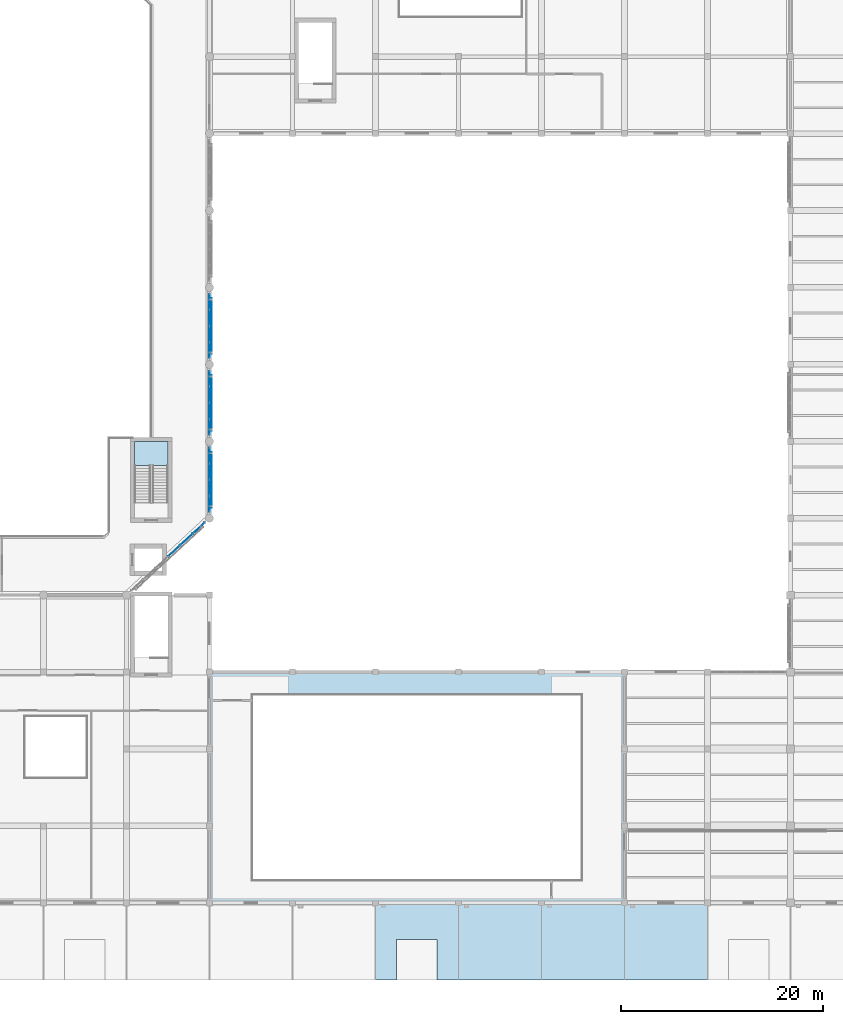
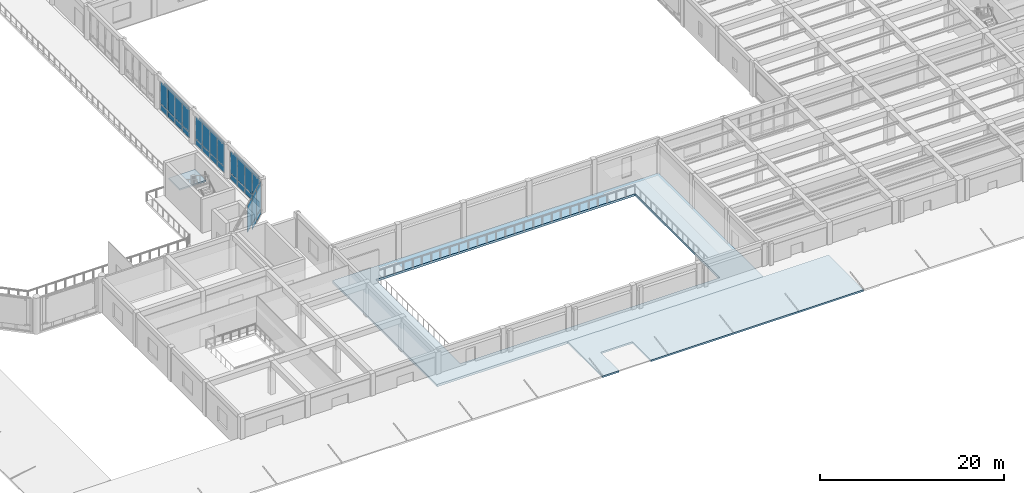
# One storey, part 29 of 57: 32 plates, 3 slabs, 5 elements without a shape of their own.
"""IFC4 building model written with IfcOpenShell, lengths in metres."""

from ifc_helpers import new_model, si_unit, direction, frame, origin, origin_2d, place, context, subcontext, project, spatial, polyline, rectangle, outline, extrude, material, layer, layer_set, type_object, element, aggregate, save


model = new_model("IFC4")

# Units and contexts
model_context = context("Model", 3, precision=1e-05, world=origin(), true_north=direction((0.0, 1.0)))
body_context = subcontext(model_context, "Body", "Model", "MODEL_VIEW")
ifc_project = project(units=[si_unit("LENGTHUNIT", "METRE"), si_unit("AREAUNIT", "SQUARE_METRE"), si_unit("VOLUMEUNIT", "CUBIC_METRE"), si_unit("PLANEANGLEUNIT", "RADIAN"), si_unit("MASSUNIT", "GRAM", prefix="KILO")], contexts=[model_context])

# Site, building, storey
site_placement = place(None, origin())
site = spatial("IfcSite", under=ifc_project, at=site_placement, CompositionType="ELEMENT")
building_placement = place(site_placement, origin())
building = spatial("IfcBuilding", under=site, at=building_placement, Name="Qandaris Square Conservatory and Botanical Centre", CompositionType="ELEMENT")
storey_placement = place(building_placement, frame((0.0, 0.0, 5.39990234375)))
storey = spatial("IfcBuildingStorey", under=building, at=storey_placement, Name="L01", CompositionType="ELEMENT", Elevation=5.39990234375)

# Curtain wall, plates
ifc_material_1 = material(Name="Anodised Aluminium", Category="aluminium")
curtain_wall_type_1 = type_object("IfcCurtainWallType", Name="Unitised Curtain Wall CW-1-1002x452", PredefinedType="USERDEFINED", material=ifc_material_1)
curtain_wall_1_placement = place(storey_placement, origin())
curtain_wall_1 = element("IfcCurtainWall", 1, at=curtain_wall_1_placement, inside=storey, type_object=curtain_wall_type_1, Name="Curtain Wall CW-CON-L01-2-1", ObjectType="GLAZED CURTAIN WALL", PredefinedType="USERDEFINED")
ifc_material_2 = material(Name="Tempered Low-E Glass", Category="glass")
ifc_layer_1 = layer(ifc_material_2, 0.0400390625)
ifc_layer_set_1 = layer_set([ifc_layer_1], Name="Tempered Low-E Glass")
plate_type_1 = type_object("IfcPlateType", Name="Conservatory Laminated Low-Iron Biome Glass 40mm", PredefinedType="CURTAIN_PANEL", material=ifc_layer_set_1)
plate_1_placement = place(storey_placement, frame((53.71240234375, 51.36767578125, 0.887451171875), z_axis=(0.0, 0.0, 1.0), x_axis=(0.733432966404, 0.679761784592, 0.0)))
plate_1 = element("IfcPlate", 2, at=plate_1_placement, type_object=plate_type_1, Name="CW-1-1002x452 panel 4.2", PredefinedType="CURTAIN_PANEL", context=body_context, shape_type="SweptSolid", body=[
    extrude(rectangle(XDim=1.594970703125, YDim=0.0400390625, at=origin_2d()), origin(), (0.0, 0.0, 1.0), 3.5576171875),
])
plate_2_placement = place(storey_placement, frame((54.937255859375, 52.5029296875, 0.0751953125), z_axis=(0.0, 0.0, 1.0), x_axis=(0.733432966404, 0.679761784592, 0.0)))
plate_2 = element("IfcPlate", 3, at=plate_2_placement, type_object=plate_type_1, Name="CW-1-1002x452 panel 5.1", PredefinedType="CURTAIN_PANEL", context=body_context, shape_type="SweptSolid", body=[
    extrude(rectangle(XDim=1.594970703125, YDim=0.0400390625, at=origin_2d()), origin(), (0.0, 0.0, 1.0), 0.737548828125),
])
plate_3_placement = place(storey_placement, frame((54.937255859375, 52.5029296875, 0.887451171875), z_axis=(0.0, 0.0, 1.0), x_axis=(0.733432966404, 0.679761784592, 0.0)))
plate_3 = element("IfcPlate", 4, at=plate_3_placement, type_object=plate_type_1, Name="CW-1-1002x452 panel 5.2", PredefinedType="CURTAIN_PANEL", context=body_context, shape_type="SweptSolid", body=[
    extrude(rectangle(XDim=1.594970703125, YDim=0.0400390625, at=origin_2d()), origin(), (0.0, 0.0, 1.0), 3.5576171875),
])
plate_4_placement = place(storey_placement, frame((56.1484375, 53.625244140625, 0.0751953125), z_axis=(0.0, 0.0, 1.0), x_axis=(0.733432966404, 0.679761784592, 0.0)))
plate_4 = element("IfcPlate", 5, at=plate_4_placement, type_object=plate_type_1, Name="CW-1-1002x452 panel 6.1", PredefinedType="CURTAIN_PANEL", context=body_context, shape_type="SweptSolid", body=[
    extrude(rectangle(XDim=1.5576171875, YDim=0.0400390625, at=origin_2d()), origin(), (0.0, 0.0, 1.0), 0.737548828125),
])
plate_5_placement = place(storey_placement, frame((56.1484375, 53.625244140625, 0.887451171875), z_axis=(0.0, 0.0, 1.0), x_axis=(0.733432966404, 0.679761784592, 0.0)))
plate_5 = element("IfcPlate", 6, at=plate_5_placement, type_object=plate_type_1, Name="CW-1-1002x452 panel 6.2", PredefinedType="CURTAIN_PANEL", context=body_context, shape_type="SweptSolid", body=[
    extrude(rectangle(XDim=1.5576171875, YDim=0.0400390625, at=origin_2d()), origin(), (0.0, 0.0, 1.0), 3.5576171875),
])
aggregate(curtain_wall_1, [plate_1, plate_2, plate_3, plate_4, plate_5])

curtain_wall_type_2 = type_object("IfcCurtainWallType", Name="Unitised Curtain Wall CW-1-644x392", PredefinedType="USERDEFINED", material=ifc_material_1)
curtain_wall_2_placement = place(storey_placement, origin())
curtain_wall_2 = element("IfcCurtainWall", 7, at=curtain_wall_2_placement, inside=storey, type_object=curtain_wall_type_2, Name="Curtain Wall CW-CON-L01-3-1", ObjectType="GLAZED CURTAIN WALL", PredefinedType="USERDEFINED")
plate_6_placement = place(storey_placement, frame((57.199951171875, 56.003662109375, 0.0751953125), z_axis=(0.0, 0.0, 1.0), x_axis=(0.0, 1.0, 0.0)))
plate_6 = element("IfcPlate", 8, at=plate_6_placement, type_object=plate_type_1, Name="CW-1-644x392 panel 1.1", PredefinedType="CURTAIN_PANEL", context=body_context, shape_type="SweptSolid", body=[
    extrude(rectangle(XDim=1.49755859375, YDim=0.0400390625, at=origin_2d()), origin(), (0.0, 0.0, 1.0), 0.737548828125),
])
plate_7_placement = place(storey_placement, frame((57.199951171875, 56.003662109375, 0.8876953125), z_axis=(0.0, 0.0, 1.0), x_axis=(0.0, 1.0, 0.0)))
plate_7 = element("IfcPlate", 9, at=plate_7_placement, type_object=plate_type_1, Name="CW-1-644x392 panel 1.2", PredefinedType="CURTAIN_PANEL", context=body_context, shape_type="SweptSolid", body=[
    extrude(rectangle(XDim=1.49755859375, YDim=0.0400390625, at=origin_2d()), origin(), (0.0, 0.0, 1.0), 2.95751953125),
])
plate_8_placement = place(storey_placement, frame((57.199951171875, 57.594970703125, 0.0751953125), z_axis=(0.0, 0.0, 1.0), x_axis=(0.0, 1.0, 0.0)))
plate_8 = element("IfcPlate", 10, at=plate_8_placement, type_object=plate_type_1, Name="CW-1-644x392 panel 2.1", PredefinedType="CURTAIN_PANEL", context=body_context, shape_type="SweptSolid", body=[
    extrude(rectangle(XDim=1.534912109375, YDim=0.0400390625, at=origin_2d()), origin(), (0.0, 0.0, 1.0), 0.737548828125),
])
plate_9_placement = place(storey_placement, frame((57.199951171875, 57.594970703125, 0.8876953125), z_axis=(0.0, 0.0, 1.0), x_axis=(0.0, 1.0, 0.0)))
plate_9 = element("IfcPlate", 11, at=plate_9_placement, type_object=plate_type_1, Name="CW-1-644x392 panel 2.2", PredefinedType="CURTAIN_PANEL", context=body_context, shape_type="SweptSolid", body=[
    extrude(rectangle(XDim=1.534912109375, YDim=0.0400390625, at=origin_2d()), origin(), (0.0, 0.0, 1.0), 2.95751953125),
])
plate_10_placement = place(storey_placement, frame((57.199951171875, 59.205078125, 0.0751953125), z_axis=(0.0, 0.0, 1.0), x_axis=(0.0, 1.0, 0.0)))
plate_10 = element("IfcPlate", 12, at=plate_10_placement, type_object=plate_type_1, Name="CW-1-644x392 panel 3.1", PredefinedType="CURTAIN_PANEL", context=body_context, shape_type="SweptSolid", body=[
    extrude(rectangle(XDim=1.534912109375, YDim=0.0400390625, at=origin_2d()), origin(), (0.0, 0.0, 1.0), 0.737548828125),
])
plate_11_placement = place(storey_placement, frame((57.199951171875, 59.205078125, 0.8876953125), z_axis=(0.0, 0.0, 1.0), x_axis=(0.0, 1.0, 0.0)))
plate_11 = element("IfcPlate", 13, at=plate_11_placement, type_object=plate_type_1, Name="CW-1-644x392 panel 3.2", PredefinedType="CURTAIN_PANEL", context=body_context, shape_type="SweptSolid", body=[
    extrude(rectangle(XDim=1.534912109375, YDim=0.0400390625, at=origin_2d()), origin(), (0.0, 0.0, 1.0), 2.95751953125),
])
plate_12_placement = place(storey_placement, frame((57.199951171875, 60.796142578125, 0.0751953125), z_axis=(0.0, 0.0, 1.0), x_axis=(0.0, 1.0, 0.0)))
plate_12 = element("IfcPlate", 14, at=plate_12_placement, type_object=plate_type_1, Name="CW-1-644x392 panel 4.1", PredefinedType="CURTAIN_PANEL", context=body_context, shape_type="SweptSolid", body=[
    extrude(rectangle(XDim=1.49755859375, YDim=0.0400390625, at=origin_2d()), origin(), (0.0, 0.0, 1.0), 0.737548828125),
])
plate_13_placement = place(storey_placement, frame((57.199951171875, 60.796142578125, 0.8876953125), z_axis=(0.0, 0.0, 1.0), x_axis=(0.0, 1.0, 0.0)))
plate_13 = element("IfcPlate", 15, at=plate_13_placement, type_object=plate_type_1, Name="CW-1-644x392 panel 4.2", PredefinedType="CURTAIN_PANEL", context=body_context, shape_type="SweptSolid", body=[
    extrude(rectangle(XDim=1.49755859375, YDim=0.0400390625, at=origin_2d()), origin(), (0.0, 0.0, 1.0), 2.95751953125),
])
aggregate(curtain_wall_2, [plate_6, plate_7, plate_8, plate_9, plate_10, plate_11, plate_12, plate_13])

curtain_wall_3_placement = place(storey_placement, origin())
curtain_wall_3 = element("IfcCurtainWall", 16, at=curtain_wall_3_placement, inside=storey, type_object=curtain_wall_type_2, Name="Curtain Wall CW-CON-L01-3-2", ObjectType="GLAZED CURTAIN WALL", PredefinedType="USERDEFINED")
plate_14_placement = place(storey_placement, frame((57.199951171875, 63.603759765625, 0.0751953125), z_axis=(0.0, 0.0, 1.0), x_axis=(0.0, 1.0, 0.0)))
plate_14 = element("IfcPlate", 17, at=plate_14_placement, type_object=plate_type_1, Name="CW-1-644x392 panel 1.1", PredefinedType="CURTAIN_PANEL", context=body_context, shape_type="SweptSolid", body=[
    extrude(rectangle(XDim=1.49755859375, YDim=0.0400390625, at=origin_2d()), origin(), (0.0, 0.0, 1.0), 0.737548828125),
])
plate_15_placement = place(storey_placement, frame((57.199951171875, 63.603759765625, 0.8876953125), z_axis=(0.0, 0.0, 1.0), x_axis=(0.0, 1.0, 0.0)))
plate_15 = element("IfcPlate", 18, at=plate_15_placement, type_object=plate_type_1, Name="CW-1-644x392 panel 1.2", PredefinedType="CURTAIN_PANEL", context=body_context, shape_type="SweptSolid", body=[
    extrude(rectangle(XDim=1.49755859375, YDim=0.0400390625, at=origin_2d()), origin(), (0.0, 0.0, 1.0), 2.95751953125),
])
plate_16_placement = place(storey_placement, frame((57.199951171875, 65.195068359375, 0.0751953125), z_axis=(0.0, 0.0, 1.0), x_axis=(0.0, 1.0, 0.0)))
plate_16 = element("IfcPlate", 19, at=plate_16_placement, type_object=plate_type_1, Name="CW-1-644x392 panel 2.1", PredefinedType="CURTAIN_PANEL", context=body_context, shape_type="SweptSolid", body=[
    extrude(rectangle(XDim=1.534912109375, YDim=0.0400390625, at=origin_2d()), origin(), (0.0, 0.0, 1.0), 0.737548828125),
])
plate_17_placement = place(storey_placement, frame((57.199951171875, 65.195068359375, 0.8876953125), z_axis=(0.0, 0.0, 1.0), x_axis=(0.0, 1.0, 0.0)))
plate_17 = element("IfcPlate", 20, at=plate_17_placement, type_object=plate_type_1, Name="CW-1-644x392 panel 2.2", PredefinedType="CURTAIN_PANEL", context=body_context, shape_type="SweptSolid", body=[
    extrude(rectangle(XDim=1.534912109375, YDim=0.0400390625, at=origin_2d()), origin(), (0.0, 0.0, 1.0), 2.95751953125),
])
plate_18_placement = place(storey_placement, frame((57.199951171875, 66.804931640625, 0.0751953125), z_axis=(0.0, 0.0, 1.0), x_axis=(0.0, 1.0, 0.0)))
plate_18 = element("IfcPlate", 21, at=plate_18_placement, type_object=plate_type_1, Name="CW-1-644x392 panel 3.1", PredefinedType="CURTAIN_PANEL", context=body_context, shape_type="SweptSolid", body=[
    extrude(rectangle(XDim=1.534912109375, YDim=0.0400390625, at=origin_2d()), origin(), (0.0, 0.0, 1.0), 0.737548828125),
])
plate_19_placement = place(storey_placement, frame((57.199951171875, 66.804931640625, 0.8876953125), z_axis=(0.0, 0.0, 1.0), x_axis=(0.0, 1.0, 0.0)))
plate_19 = element("IfcPlate", 22, at=plate_19_placement, type_object=plate_type_1, Name="CW-1-644x392 panel 3.2", PredefinedType="CURTAIN_PANEL", context=body_context, shape_type="SweptSolid", body=[
    extrude(rectangle(XDim=1.534912109375, YDim=0.0400390625, at=origin_2d()), origin(), (0.0, 0.0, 1.0), 2.95751953125),
])
plate_20_placement = place(storey_placement, frame((57.199951171875, 68.396240234375, 0.0751953125), z_axis=(0.0, 0.0, 1.0), x_axis=(0.0, 1.0, 0.0)))
plate_20 = element("IfcPlate", 23, at=plate_20_placement, type_object=plate_type_1, Name="CW-1-644x392 panel 4.1", PredefinedType="CURTAIN_PANEL", context=body_context, shape_type="SweptSolid", body=[
    extrude(rectangle(XDim=1.49755859375, YDim=0.0400390625, at=origin_2d()), origin(), (0.0, 0.0, 1.0), 0.737548828125),
])
plate_21_placement = place(storey_placement, frame((57.199951171875, 68.396240234375, 0.8876953125), z_axis=(0.0, 0.0, 1.0), x_axis=(0.0, 1.0, 0.0)))
plate_21 = element("IfcPlate", 24, at=plate_21_placement, type_object=plate_type_1, Name="CW-1-644x392 panel 4.2", PredefinedType="CURTAIN_PANEL", context=body_context, shape_type="SweptSolid", body=[
    extrude(rectangle(XDim=1.49755859375, YDim=0.0400390625, at=origin_2d()), origin(), (0.0, 0.0, 1.0), 2.95751953125),
])
aggregate(curtain_wall_3, [plate_14, plate_15, plate_16, plate_17, plate_18, plate_19, plate_20, plate_21])

curtain_wall_4_placement = place(storey_placement, origin())
curtain_wall_4 = element("IfcCurtainWall", 25, at=curtain_wall_4_placement, inside=storey, type_object=curtain_wall_type_2, Name="Curtain Wall CW-CON-L01-3-3", ObjectType="GLAZED CURTAIN WALL", PredefinedType="USERDEFINED")
plate_22_placement = place(storey_placement, frame((57.199951171875, 71.203857421875, 0.0751953125), z_axis=(0.0, 0.0, 1.0), x_axis=(0.0, 1.0, 0.0)))
plate_22 = element("IfcPlate", 26, at=plate_22_placement, type_object=plate_type_1, Name="CW-1-644x392 panel 1.1", PredefinedType="CURTAIN_PANEL", context=body_context, shape_type="SweptSolid", body=[
    extrude(rectangle(XDim=1.49755859375, YDim=0.0400390625, at=origin_2d()), origin(), (0.0, 0.0, 1.0), 0.737548828125),
])
plate_23_placement = place(storey_placement, frame((57.199951171875, 71.203857421875, 0.8876953125), z_axis=(0.0, 0.0, 1.0), x_axis=(0.0, 1.0, 0.0)))
plate_23 = element("IfcPlate", 27, at=plate_23_placement, type_object=plate_type_1, Name="CW-1-644x392 panel 1.2", PredefinedType="CURTAIN_PANEL", context=body_context, shape_type="SweptSolid", body=[
    extrude(rectangle(XDim=1.49755859375, YDim=0.0400390625, at=origin_2d()), origin(), (0.0, 0.0, 1.0), 2.95751953125),
])
plate_24_placement = place(storey_placement, frame((57.199951171875, 72.794921875, 0.0751953125), z_axis=(0.0, 0.0, 1.0), x_axis=(0.0, 1.0, 0.0)))
plate_24 = element("IfcPlate", 28, at=plate_24_placement, type_object=plate_type_1, Name="CW-1-644x392 panel 2.1", PredefinedType="CURTAIN_PANEL", context=body_context, shape_type="SweptSolid", body=[
    extrude(rectangle(XDim=1.534912109375, YDim=0.0400390625, at=origin_2d()), origin(), (0.0, 0.0, 1.0), 0.737548828125),
])
plate_25_placement = place(storey_placement, frame((57.199951171875, 72.794921875, 0.8876953125), z_axis=(0.0, 0.0, 1.0), x_axis=(0.0, 1.0, 0.0)))
plate_25 = element("IfcPlate", 29, at=plate_25_placement, type_object=plate_type_1, Name="CW-1-644x392 panel 2.2", PredefinedType="CURTAIN_PANEL", context=body_context, shape_type="SweptSolid", body=[
    extrude(rectangle(XDim=1.534912109375, YDim=0.0400390625, at=origin_2d()), origin(), (0.0, 0.0, 1.0), 2.95751953125),
])
plate_26_placement = place(storey_placement, frame((57.199951171875, 74.405029296875, 0.0751953125), z_axis=(0.0, 0.0, 1.0), x_axis=(0.0, 1.0, 0.0)))
plate_26 = element("IfcPlate", 30, at=plate_26_placement, type_object=plate_type_1, Name="CW-1-644x392 panel 3.1", PredefinedType="CURTAIN_PANEL", context=body_context, shape_type="SweptSolid", body=[
    extrude(rectangle(XDim=1.534912109375, YDim=0.0400390625, at=origin_2d()), origin(), (0.0, 0.0, 1.0), 0.737548828125),
])
plate_27_placement = place(storey_placement, frame((57.199951171875, 74.405029296875, 0.8876953125), z_axis=(0.0, 0.0, 1.0), x_axis=(0.0, 1.0, 0.0)))
plate_27 = element("IfcPlate", 31, at=plate_27_placement, type_object=plate_type_1, Name="CW-1-644x392 panel 3.2", PredefinedType="CURTAIN_PANEL", context=body_context, shape_type="SweptSolid", body=[
    extrude(rectangle(XDim=1.534912109375, YDim=0.0400390625, at=origin_2d()), origin(), (0.0, 0.0, 1.0), 2.95751953125),
])
plate_28_placement = place(storey_placement, frame((57.199951171875, 75.996337890625, 0.0751953125), z_axis=(0.0, 0.0, 1.0), x_axis=(0.0, 1.0, 0.0)))
plate_28 = element("IfcPlate", 32, at=plate_28_placement, type_object=plate_type_1, Name="CW-1-644x392 panel 4.1", PredefinedType="CURTAIN_PANEL", context=body_context, shape_type="SweptSolid", body=[
    extrude(rectangle(XDim=1.49755859375, YDim=0.0400390625, at=origin_2d()), origin(), (0.0, 0.0, 1.0), 0.737548828125),
])
plate_29_placement = place(storey_placement, frame((57.199951171875, 75.996337890625, 0.8876953125), z_axis=(0.0, 0.0, 1.0), x_axis=(0.0, 1.0, 0.0)))
plate_29 = element("IfcPlate", 33, at=plate_29_placement, type_object=plate_type_1, Name="CW-1-644x392 panel 4.2", PredefinedType="CURTAIN_PANEL", context=body_context, shape_type="SweptSolid", body=[
    extrude(rectangle(XDim=1.49755859375, YDim=0.0400390625, at=origin_2d()), origin(), (0.0, 0.0, 1.0), 2.95751953125),
])
aggregate(curtain_wall_4, [plate_22, plate_23, plate_24, plate_25, plate_26, plate_27, plate_28, plate_29])

# Plates
ifc_material_3 = material(Name="Weathering Bronze Alloy", Category="metal")
ifc_layer_2 = layer(ifc_material_3, 0.044921875)
ifc_layer_set_2 = layer_set([ifc_layer_2], Name="Weathering Bronze Alloy")
plate_type_2 = type_object("IfcPlateType", Name="Perforated Bronze Mashrabiya Solar Screen Panel", PredefinedType="USERDEFINED", material=ifc_layer_set_2)
for number, where, z_axis, x_axis, name in (
    (34, (57.419921875, 58.39990234375, 0.8798828125), (0.0, 0.0, 1.0), (0.0, 1.0, 0.0), "Mashrabiya Solar Screen CW-CON-L01-3-1"),
    (35, (57.419921875, 66.0, 0.8798828125), (0.0, 0.0, 1.0), (0.0, 1.0, 0.0), "Mashrabiya Solar Screen CW-CON-L01-3-2"),
    (36, (57.419921875, 73.60009765625, 0.8798828125), (0.0, 0.0, 1.0), (0.0, 1.0, 0.0), "Mashrabiya Solar Screen CW-CON-L01-3-3"),
):
    element("IfcPlate", number, at=place(storey_placement, frame(where, z_axis=z_axis, x_axis=x_axis)), inside=storey, type_object=plate_type_2, Name=name, ObjectType="SOLAR SCREEN", PredefinedType="USERDEFINED", context=body_context, shape_type="SweptSolid", body=[
        extrude(rectangle(XDim=5.47998046875, YDim=0.044921875, at=origin_2d()), origin(), (0.0, 0.0, 1.0), 2.949951171875),
    ])

# Slab
ifc_material_4 = material(Name="Concrete C40/50", Category="concrete")
ifc_layer_3 = layer(ifc_material_4, 0.22509765625)
ifc_layer_set_3 = layer_set([ifc_layer_3], Name="Concrete C40/50")
slab_type_1 = type_object("IfcSlabType", Name="RC Flat Roof Slab 225mm", PredefinedType="ROOF", material=ifc_layer_set_3)
slab_1_placement = place(storey_placement, frame((0.0, 0.0, -0.224853515625)))
element("IfcSlab", 37, at=slab_1_placement, inside=storey, type_object=slab_type_1, Name="Square Colonnade Structural Canopy Deck COLS-3", PredefinedType="ROOF", context=body_context, shape_type="SweptSolid", body=[
    extrude(outline(polyline([(73.60009765625, 9.0), (73.60009765625, 16.60009765625), (106.39990234375, 16.60009765625), (106.39990234375, 9.0), (79.699951171875, 9.0), (79.699951171875, 13.0), (75.699951171875, 13.0), (75.699951171875, 9.0), (73.60009765625, 9.0)])), origin(), (0.0, 0.0, 1.0), 0.224853515625),
])

# Stair, slab
stair_type = type_object("IfcStairType", Name="Podium Grand Escape Stair 1550mm", PredefinedType="HALF_TURN_STAIR", material=ifc_material_4)
stair_placement = place(storey_placement, origin())
stair = element("IfcStair", 38, at=stair_placement, inside=storey, type_object=stair_type, Name="L01 Conservatory West Exit Stair ST-5", PredefinedType="HALF_TURN_STAIR")
ifc_layer_4 = layer(ifc_material_4, 0.219970703125)
ifc_layer_set_4 = layer_set([ifc_layer_4], Name="Concrete C40/50")
slab_type_2 = type_object("IfcSlabType", Name="RC Stair Half-Landing Slab 220mm", PredefinedType="LANDING", material=ifc_layer_set_4)
slab_2_placement = place(storey_placement, frame((0.0, 0.0, 2.2001953125)))
slab_2 = element("IfcSlab", 39, at=slab_2_placement, type_object=slab_type_2, Name="ST-5 landing 1", PredefinedType="LANDING", context=body_context, shape_type="SweptSolid", body=[
    extrude(outline(polyline([(53.10009765625, 59.7900390625), (53.10009765625, 62.199951171875), (49.800048828125, 62.199951171875), (49.800048828125, 59.7900390625), (53.10009765625, 59.7900390625)])), origin(), (0.0, 0.0, 1.0), 0.199951171875),
])
aggregate(stair, [slab_2])

# Slab
ifc_layer_5 = layer(ifc_material_4, 0.300048828125)
ifc_layer_set_5 = layer_set([ifc_layer_5], Name="Concrete C40/50")
slab_type_3 = type_object("IfcSlabType", Name="RC Structural Slab 300mm", PredefinedType="FLOOR", material=ifc_layer_set_5)
slab_3_placement = place(storey_placement, frame((0.0, 0.0, -0.2998046875)))
element("IfcSlab", 40, at=slab_3_placement, inside=storey, type_object=slab_type_3, Name="L01 Structural Slab V2L01", PredefinedType="FLOOR", context=body_context, shape_type="SweptSolid", body=[
    extrude(outline(polyline([(57.199951171875, 39.39990234375), (98.199951171875, 39.39990234375), (98.199951171875, 16.60009765625), (57.199951171875, 16.60009765625), (57.199951171875, 39.39990234375)]), holes=[polyline([(61.39990234375, 37.199951171875), (61.39990234375, 18.800048828125), (94.0, 18.800048828125), (94.0, 37.199951171875), (61.39990234375, 37.199951171875)])]), origin(), (0.0, 0.0, 1.0), 0.2998046875),
])

save(model, "model.ifc")
